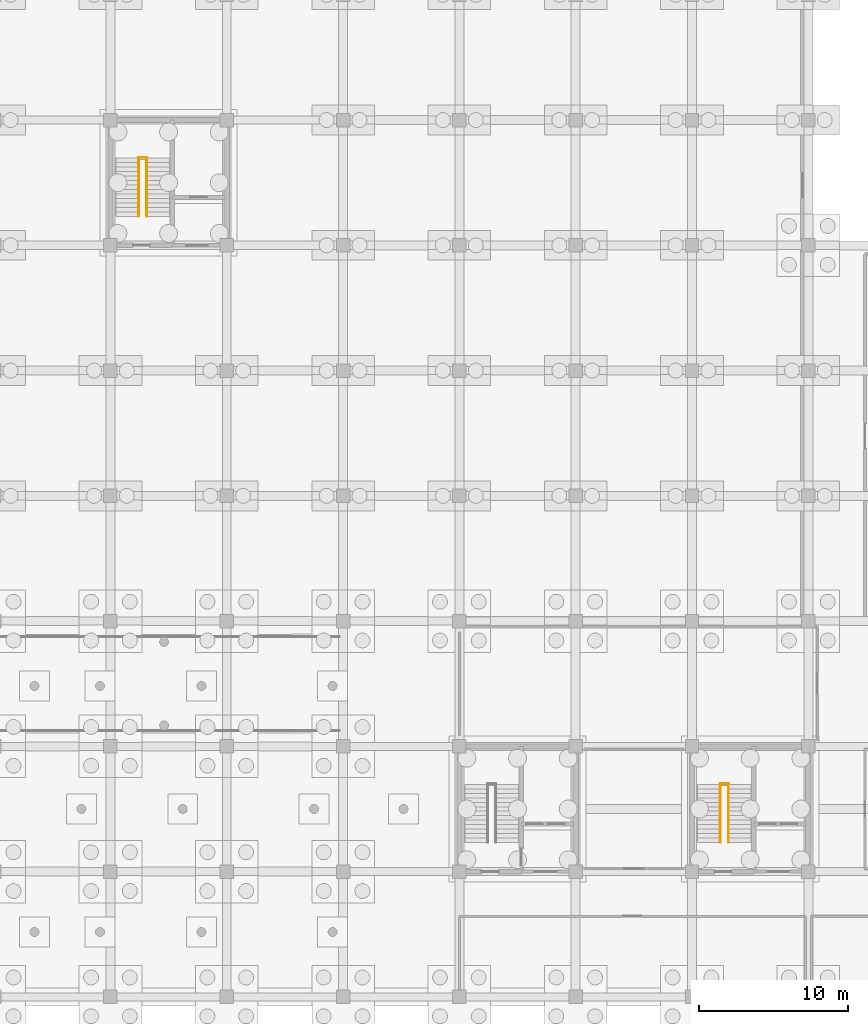
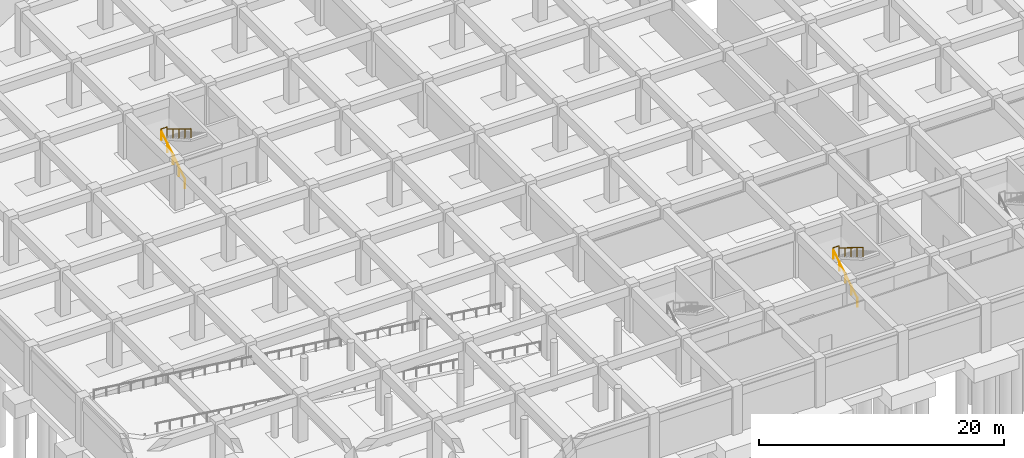
# One storey, part 28 of 31: 6 railings.
"""IFC4 building model written with IfcOpenShell, lengths in metres."""

from ifc_helpers import new_model, si_unit, direction, frame, origin, origin_2d, place, context, subcontext, project, spatial, circle, hollow_circle, extrude, material, material_profile, profile_set, type_object, element, save


model = new_model("IFC4")

# Units and contexts
model_context = context("Model", 3, precision=1e-05, world=origin(), true_north=direction((0.0, 1.0)))
body_context = subcontext(model_context, "Body", "Model", "MODEL_VIEW")
ifc_project = project(units=[si_unit("LENGTHUNIT", "METRE"), si_unit("AREAUNIT", "SQUARE_METRE"), si_unit("VOLUMEUNIT", "CUBIC_METRE"), si_unit("PLANEANGLEUNIT", "RADIAN"), si_unit("MASSUNIT", "GRAM", prefix="KILO")], contexts=[model_context])

# Site, building, storey
site_placement = place(None, origin())
site = spatial("IfcSite", under=ifc_project, at=site_placement, CompositionType="ELEMENT")
building_placement = place(site_placement, origin())
building = spatial("IfcBuilding", under=site, at=building_placement, Name="Zizhar Promenade General Hospital", CompositionType="ELEMENT")
storey_placement = place(building_placement, frame((0.0, 0.0, -4.800048828125)))
storey = spatial("IfcBuildingStorey", under=building, at=storey_placement, Name="B1", CompositionType="ELEMENT", Elevation=-4.800048828125)

# Railings
ifc_material_1 = material(Name="Anodised aluminium 6063-T6", Category="aluminium")
ifc_material_profile_1 = material_profile(ifc_material_1, hollow_circle(Radius=0.06982421875, WallThickness=0.00634765625, at=origin_2d()))
ifc_profile_set_1 = profile_set([ifc_material_profile_1], Name="Anodised aluminium 6063-T6")
railing_type_1 = type_object("IfcRailingType", Name="RL-HANDRAIL-920", PredefinedType="HANDRAIL", material=ifc_profile_set_1)
railing_1_placement = place(storey_placement, frame((25.300048828125, 52.35009765625, 0.0)))
element("IfcRailing", 1, at=railing_1_placement, inside=storey, type_object=railing_type_1, Name="Stair ST-01 Flight 1 Handrail (B1)", PredefinedType="HANDRAIL", context=body_context, shape_type="SweptSolid", body=[
    extrude(circle(Radius=0.02392578125, at=origin_2d()), frame((0.0, 0.0, 0.89599609375), z_axis=(0.0, 0.851638180308, 0.5241301459), x_axis=(-1.0, 0.0, 0.0)), (0.0, 0.0, 1.0), 4.579345703125),
    extrude(circle(Radius=0.02099609375, at=origin_2d()), origin(), (0.0, 0.0, 1.0), 0.871826171875),
    extrude(circle(Radius=0.02099609375, at=origin_2d()), frame((0.0, 0.97509765625, 0.60009765625)), (0.0, 0.0, 1.0), 0.871826171875),
    extrude(circle(Radius=0.02099609375, at=origin_2d()), frame((0.0, 1.949951171875, 1.2001953125)), (0.0, 0.0, 1.0), 0.871826171875),
    extrude(circle(Radius=0.02099609375, at=origin_2d()), frame((0.0, 2.9248046875, 1.800048828125)), (0.0, 0.0, 1.0), 0.871826171875),
    extrude(circle(Radius=0.02099609375, at=origin_2d()), frame((0.0, 3.89990234375, 2.400146484375)), (0.0, 0.0, 1.0), 0.871826171875),
])
railing_2_placement = place(storey_placement, frame((25.840087890625, 56.25, 2.400146484375)))
element("IfcRailing", 2, at=railing_2_placement, inside=storey, type_object=railing_type_1, Name="Stair ST-01 Flight 2 Handrail (B1)", PredefinedType="HANDRAIL", context=body_context, shape_type="SweptSolid", body=[
    extrude(circle(Radius=0.02392578125, at=origin_2d()), frame((0.0, 0.0, 0.89599609375), z_axis=(0.0, -0.851661977835, 0.524091476281), x_axis=(1.0, 0.0, 0.0)), (0.0, 0.0, 1.0), 4.5791015625),
    extrude(circle(Radius=0.02099609375, at=origin_2d()), origin(), (0.0, 0.0, 1.0), 0.871826171875),
    extrude(circle(Radius=0.02099609375, at=origin_2d()), frame((0.0, -0.97509765625, 0.60009765625)), (0.0, 0.0, 1.0), 0.871826171875),
    extrude(circle(Radius=0.02099609375, at=origin_2d()), frame((0.0, -1.949951171875, 1.199951171875)), (0.0, 0.0, 1.0), 0.871826171875),
    extrude(circle(Radius=0.02099609375, at=origin_2d()), frame((0.0, -2.9248046875, 1.7998046875)), (0.0, 0.0, 1.0), 0.871826171875),
    extrude(circle(Radius=0.02099609375, at=origin_2d()), frame((0.0, -3.89990234375, 2.39990234375)), (0.0, 0.0, 1.0), 0.871826171875),
])
railing_3_placement = place(storey_placement, frame((64.300048828125, 10.35009765625, 0.0)))
element("IfcRailing", 3, at=railing_3_placement, inside=storey, type_object=railing_type_1, Name="Stair ST-03 Flight 1 Handrail (B1)", PredefinedType="HANDRAIL", context=body_context, shape_type="SweptSolid", body=[
    extrude(circle(Radius=0.02392578125, at=origin_2d()), frame((0.0, 0.0, 0.89599609375), z_axis=(0.0, 0.851638180308, 0.5241301459), x_axis=(-1.0, 0.0, 0.0)), (0.0, 0.0, 1.0), 4.579345703125),
    extrude(circle(Radius=0.02099609375, at=origin_2d()), origin(), (0.0, 0.0, 1.0), 0.871826171875),
    extrude(circle(Radius=0.02099609375, at=origin_2d()), frame((0.0, 0.97509765625, 0.60009765625)), (0.0, 0.0, 1.0), 0.871826171875),
    extrude(circle(Radius=0.02099609375, at=origin_2d()), frame((0.0, 1.949951171875, 1.2001953125)), (0.0, 0.0, 1.0), 0.871826171875),
    extrude(circle(Radius=0.02099609375, at=origin_2d()), frame((0.0, 2.9248046875, 1.800048828125)), (0.0, 0.0, 1.0), 0.871826171875),
    extrude(circle(Radius=0.02099609375, at=origin_2d()), frame((0.0, 3.89990234375, 2.400146484375)), (0.0, 0.0, 1.0), 0.871826171875),
])
railing_4_placement = place(storey_placement, frame((64.840087890625, 14.25, 2.400146484375)))
element("IfcRailing", 4, at=railing_4_placement, inside=storey, type_object=railing_type_1, Name="Stair ST-03 Flight 2 Handrail (B1)", PredefinedType="HANDRAIL", context=body_context, shape_type="SweptSolid", body=[
    extrude(circle(Radius=0.02392578125, at=origin_2d()), frame((0.0, 0.0, 0.89599609375), z_axis=(0.0, -0.851661977835, 0.524091476281), x_axis=(1.0, 0.0, 0.0)), (0.0, 0.0, 1.0), 4.5791015625),
    extrude(circle(Radius=0.02099609375, at=origin_2d()), origin(), (0.0, 0.0, 1.0), 0.871826171875),
    extrude(circle(Radius=0.02099609375, at=origin_2d()), frame((0.0, -0.97509765625, 0.60009765625)), (0.0, 0.0, 1.0), 0.871826171875),
    extrude(circle(Radius=0.02099609375, at=origin_2d()), frame((0.0, -1.949951171875, 1.199951171875)), (0.0, 0.0, 1.0), 0.871826171875),
    extrude(circle(Radius=0.02099609375, at=origin_2d()), frame((0.0, -2.9248046875, 1.7998046875)), (0.0, 0.0, 1.0), 0.871826171875),
    extrude(circle(Radius=0.02099609375, at=origin_2d()), frame((0.0, -3.89990234375, 2.39990234375)), (0.0, 0.0, 1.0), 0.871826171875),
])
ifc_material_2 = material(Name="Steel S355", Category="steel")
ifc_material_profile_2 = material_profile(ifc_material_2, hollow_circle(Radius=0.06982421875, WallThickness=0.00634765625, at=origin_2d()))
ifc_profile_set_2 = profile_set([ifc_material_profile_2], Name="Steel S355")
railing_type_2 = type_object("IfcRailingType", Name="RL-STAIR-GUARD-1100", PredefinedType="GUARDRAIL", material=ifc_profile_set_2)
for number, where, name in (
    (5, (25.280029296875, 56.2900390625, 2.400146484375), "Stair ST-01 Half-Landing Guard (B1)"),
    (6, (64.280029296875, 14.2900390625, 2.400146484375), "Stair ST-03 Half-Landing Guard (B1)"),
):
    element("IfcRailing", number, at=place(storey_placement, frame(where)), inside=storey, type_object=railing_type_2, Name=name, PredefinedType="GUARDRAIL", context=body_context, shape_type="SweptSolid", body=[
        extrude(circle(Radius=0.02392578125, at=origin_2d()), frame((0.0, 0.0, 1.076171875), z_axis=(1.0, 0.0, 0.0), x_axis=(0.0, 1.0, 0.0)), (0.0, 0.0, 1.0), 0.580078125),
        extrude(circle(Radius=0.02099609375, at=origin_2d()), origin(), (0.0, 0.0, 1.0), 1.052001953125),
        extrude(circle(Radius=0.02099609375, at=origin_2d()), frame((0.580078125, 0.0, 0.0)), (0.0, 0.0, 1.0), 1.052001953125),
    ])

save(model, "model.ifc")
